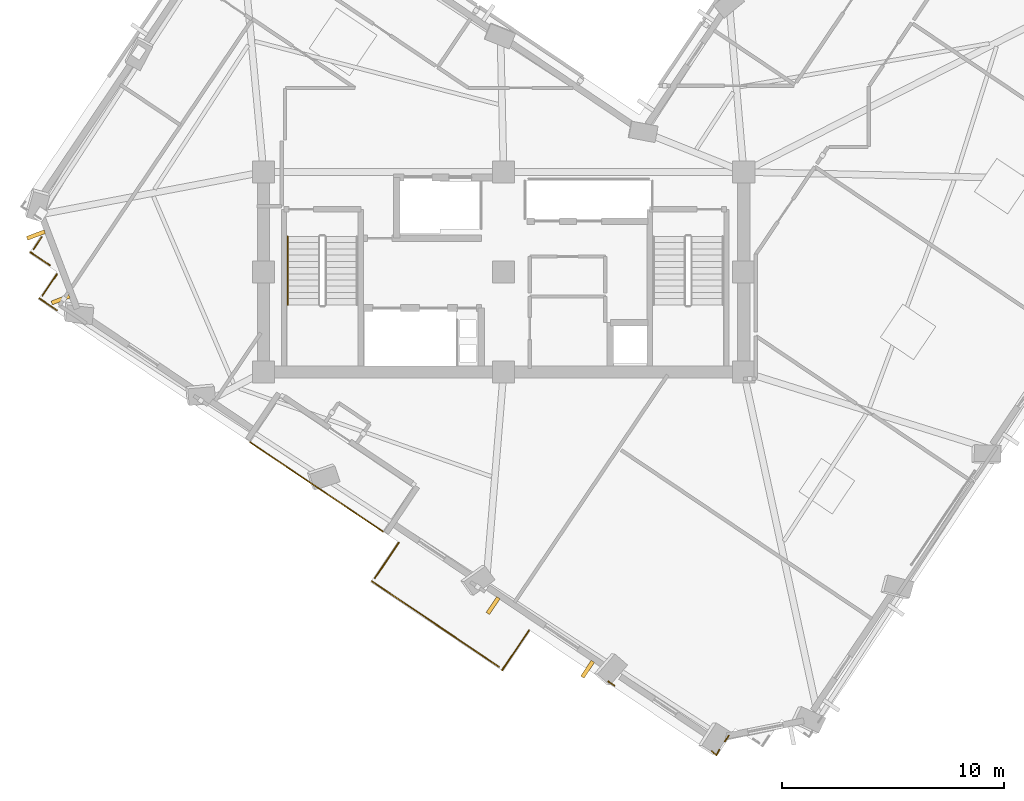
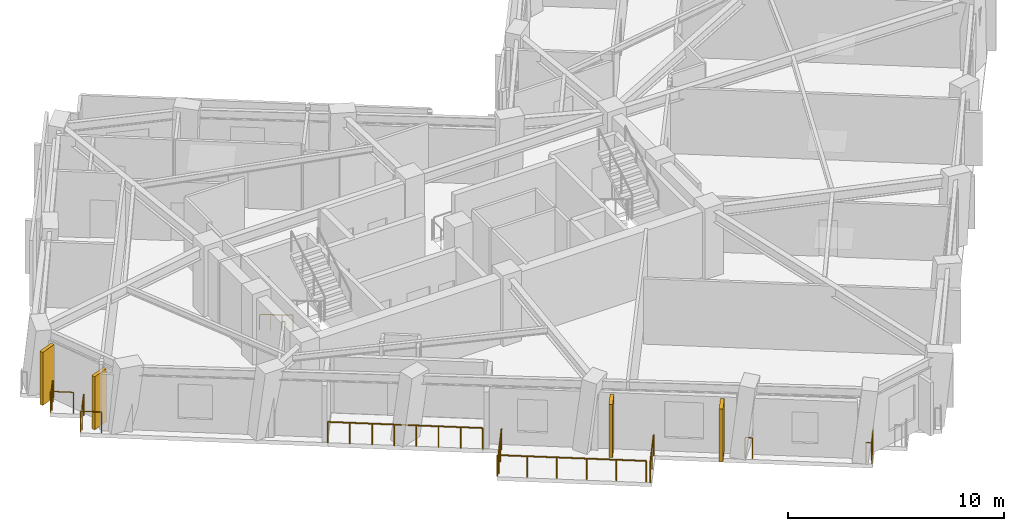
# One storey, part 10 of 14: 12 railings, 4 shading devices.
"""IFC4 building model written with IfcOpenShell, lengths in metres."""

from ifc_helpers import new_model, si_unit, direction, frame, origin, origin_2d, place, context, subcontext, project, spatial, rectangle, circle, extrude, material, layer, layer_set, type_object, element, save


model = new_model("IFC4")

# Units and contexts
model_context = context("Model", 3, precision=1e-05, world=origin(), true_north=direction((0.0, 1.0)))
body_context = subcontext(model_context, "Body", "Model", "MODEL_VIEW")
ifc_project = project(units=[si_unit("LENGTHUNIT", "METRE"), si_unit("AREAUNIT", "SQUARE_METRE"), si_unit("VOLUMEUNIT", "CUBIC_METRE"), si_unit("PLANEANGLEUNIT", "RADIAN"), si_unit("MASSUNIT", "GRAM", prefix="KILO")], contexts=[model_context])

# Site, building, storey
site_placement = place(None, origin())
site = spatial("IfcSite", under=ifc_project, at=site_placement, CompositionType="ELEMENT")
building_placement = place(site_placement, origin())
building = spatial("IfcBuilding", under=site, at=building_placement, Name="Gaonmaruhae Medical Tower", CompositionType="ELEMENT")
storey_placement = place(building_placement, frame((0.0, 0.0, 263.199951171875)))
storey = spatial("IfcBuildingStorey", under=building, at=storey_placement, Name="L63", CompositionType="ELEMENT", Elevation=263.199951171875)

# Railings
ifc_material_1 = material(Name="Stainless steel 316L and laminated safety glass", Category="steel")
ifc_layer = layer(ifc_material_1, 0.080078125)
ifc_layer_set = layer_set([ifc_layer], Name="Stainless steel 316L and laminated safety glass")
railing_type_1 = type_object("IfcRailingType", Name="GD-120 Outdoor Terrace Safety Glass & Steel Balustrade", PredefinedType="BALUSTRADE", material=ifc_layer_set)
railing_1_placement = place(storey_placement, frame((13.400390625, 4.64501953125, 0.0)))
element("IfcRailing", 1, at=railing_1_placement, inside=storey, type_object=railing_type_1, Name="L63 Terrace Safety Guard RL-SLB-L63-TER-04", PredefinedType="BALUSTRADE", context=body_context, shape_type="SweptSolid", body=[
    extrude(circle(Radius=0.02392578125, at=origin_2d()), frame((0.0, 0.0, 1.17578125), z_axis=(0.829511622929, -0.55848945149, 0.0), x_axis=(0.55848945149, 0.829511622929, 0.0)), (0.0, 0.0, 1.0), 7.2001953125),
    extrude(circle(Radius=0.02099609375, at=origin_2d()), origin(), (0.0, 0.0, 1.0), 1.15185546875),
    extrude(circle(Radius=0.02099609375, at=origin_2d()), frame((0.853271484375, -0.574462890625, 0.0)), (0.0, 0.0, 1.0), 1.15185546875),
    extrude(circle(Radius=0.02099609375, at=origin_2d()), frame((1.70654296875, -1.14892578125, 0.0)), (0.0, 0.0, 1.0), 1.15185546875),
    extrude(circle(Radius=0.02099609375, at=origin_2d()), frame((2.559814453125, -1.723388671875, 0.0)), (0.0, 0.0, 1.0), 1.15185546875),
    extrude(circle(Radius=0.02099609375, at=origin_2d()), frame((3.412841796875, -2.2978515625, 0.0)), (0.0, 0.0, 1.0), 1.15185546875),
    extrude(circle(Radius=0.02099609375, at=origin_2d()), frame((4.26611328125, -2.872314453125, 0.0)), (0.0, 0.0, 1.0), 1.15185546875),
    extrude(circle(Radius=0.02099609375, at=origin_2d()), frame((5.119384765625, -3.44677734375, 0.0)), (0.0, 0.0, 1.0), 1.15185546875),
    extrude(circle(Radius=0.02099609375, at=origin_2d()), frame((5.97265625, -4.021240234375, 0.0)), (0.0, 0.0, 1.0), 1.15185546875),
])
railing_2_placement = place(storey_placement, frame((4.389404296875, 12.604248046875, 0.0)))
element("IfcRailing", 2, at=railing_2_placement, inside=storey, type_object=railing_type_1, Name="L63 Perimeter Slab Edge Safety Balustrade 01", PredefinedType="BALUSTRADE", context=body_context, shape_type="SweptSolid", body=[
    extrude(circle(Radius=0.02392578125, at=origin_2d()), frame((0.0, 0.0, 1.17578125), z_axis=(-0.829526197454, 0.558467803672, 0.0), x_axis=(-0.558467803672, -0.829526197454, 0.0)), (0.0, 0.0, 1.0), 1.06005859375),
    extrude(circle(Radius=0.02099609375, at=origin_2d()), origin(), (0.0, 0.0, 1.0), 1.15185546875),
    extrude(circle(Radius=0.02099609375, at=origin_2d()), frame((-0.87939453125, 0.592041015625, 0.0)), (0.0, 0.0, 1.0), 1.15185546875),
])
railing_3_placement = place(storey_placement, frame((3.65380859375, 13.3203125, 0.0)))
element("IfcRailing", 3, at=railing_3_placement, inside=storey, type_object=railing_type_1, Name="L63 Perimeter Slab Edge Safety Balustrade 02", PredefinedType="BALUSTRADE", context=body_context, shape_type="SweptSolid", body=[
    extrude(circle(Radius=0.02392578125, at=origin_2d()), frame((0.0, 0.0, 1.17578125), z_axis=(0.558449787312, 0.829538326451, 0.0), x_axis=(-0.829538326451, 0.558449787312, 0.0)), (0.0, 0.0, 1.0), 0.66015625),
    extrude(circle(Radius=0.02099609375, at=origin_2d()), origin(), (0.0, 0.0, 1.0), 1.15185546875),
    extrude(circle(Radius=0.02099609375, at=origin_2d()), frame((0.36865234375, 0.547607421875, 0.0)), (0.0, 0.0, 1.0), 1.15185546875),
])
railing_4_placement = place(storey_placement, frame((34.9326171875, -8.54931640625, 0.0)))
element("IfcRailing", 4, at=railing_4_placement, inside=storey, type_object=railing_type_1, Name="L63 Perimeter Slab Edge Safety Balustrade 11", PredefinedType="BALUSTRADE", context=body_context, shape_type="SweptSolid", body=[
    extrude(circle(Radius=0.02392578125, at=origin_2d()), frame((0.0, 0.0, 1.17578125), z_axis=(-0.558831124125, -0.829281480988, 0.0), x_axis=(0.829281480988, -0.558831124125, 0.0)), (0.0, 0.0, 1.0), 0.326904296875),
    extrude(circle(Radius=0.02099609375, at=origin_2d()), origin(), (0.0, 0.0, 1.0), 1.15185546875),
    extrude(circle(Radius=0.02099609375, at=origin_2d()), frame((-0.1826171875, -0.27099609375, 0.0)), (0.0, 0.0, 1.0), 1.15185546875),
])
railing_5_placement = place(storey_placement, frame((29.789306640625, -6.304443359375, 0.0)))
element("IfcRailing", 5, at=railing_5_placement, inside=storey, type_object=railing_type_1, Name="L63 Perimeter Slab Edge Safety Balustrade 12", PredefinedType="BALUSTRADE", context=body_context, shape_type="SweptSolid", body=[
    extrude(circle(Radius=0.02392578125, at=origin_2d()), frame((0.0, 0.0, 1.17578125), z_axis=(-0.829478024608, 0.558539351068, 0.0), x_axis=(-0.558539351068, -0.829478024608, 0.0)), (0.0, 0.0, 1.0), 0.3369140625),
    extrude(circle(Radius=0.02099609375, at=origin_2d()), origin(), (0.0, 0.0, 1.0), 1.15185546875),
    extrude(circle(Radius=0.02099609375, at=origin_2d()), frame((-0.279541015625, 0.188232421875, 0.0)), (0.0, 0.0, 1.0), 1.15185546875),
])
railing_6_placement = place(storey_placement, frame((25.940185546875, -3.8212890625, 0.0)))
element("IfcRailing", 6, at=railing_6_placement, inside=storey, type_object=railing_type_1, Name="L63 Perimeter Slab Edge Safety Balustrade 13", PredefinedType="BALUSTRADE", context=body_context, shape_type="SweptSolid", body=[
    extrude(circle(Radius=0.02392578125, at=origin_2d()), frame((0.0, 0.0, 1.17578125), z_axis=(-0.558554360236, -0.829467917801, 0.0), x_axis=(0.829467917801, -0.558554360236, 0.0)), (0.0, 0.0, 1.0), 2.16015625),
    extrude(circle(Radius=0.02099609375, at=origin_2d()), origin(), (0.0, 0.0, 1.0), 1.15185546875),
    extrude(circle(Radius=0.02099609375, at=origin_2d()), frame((-0.603271484375, -0.89599609375, 0.0)), (0.0, 0.0, 1.0), 1.15185546875),
    extrude(circle(Radius=0.02099609375, at=origin_2d()), frame((-1.20654296875, -1.791748046875, 0.0)), (0.0, 0.0, 1.0), 1.15185546875),
])
railing_7_placement = place(storey_placement, frame((24.5947265625, -5.459228515625, 0.0)))
element("IfcRailing", 7, at=railing_7_placement, inside=storey, type_object=railing_type_1, Name="L63 Perimeter Slab Edge Safety Balustrade 14", PredefinedType="BALUSTRADE", context=body_context, shape_type="SweptSolid", body=[
    extrude(circle(Radius=0.02392578125, at=origin_2d()), frame((0.0, 0.0, 1.17578125), z_axis=(-0.829519116441, 0.558478321387, 0.0), x_axis=(-0.558478321387, -0.829519116441, 0.0)), (0.0, 0.0, 1.0), 6.90869140625),
    extrude(circle(Radius=0.02099609375, at=origin_2d()), origin(), (0.0, 0.0, 1.0), 1.15185546875),
    extrude(circle(Radius=0.02099609375, at=origin_2d()), frame((-1.146240234375, 0.771728515625, 0.0)), (0.0, 0.0, 1.0), 1.15185546875),
    extrude(circle(Radius=0.02099609375, at=origin_2d()), frame((-2.29248046875, 1.54345703125, 0.0)), (0.0, 0.0, 1.0), 1.15185546875),
    extrude(circle(Radius=0.02099609375, at=origin_2d()), frame((-3.4384765625, 2.31494140625, 0.0)), (0.0, 0.0, 1.0), 1.15185546875),
    extrude(circle(Radius=0.02099609375, at=origin_2d()), frame((-4.584716796875, 3.086669921875, 0.0)), (0.0, 0.0, 1.0), 1.15185546875),
    extrude(circle(Radius=0.02099609375, at=origin_2d()), frame((-5.73095703125, 3.8583984375, 0.0)), (0.0, 0.0, 1.0), 1.15185546875),
])
railing_8_placement = place(storey_placement, frame((19.010498046875, -1.472412109375, 0.0)))
element("IfcRailing", 8, at=railing_8_placement, inside=storey, type_object=railing_type_1, Name="L63 Perimeter Slab Edge Safety Balustrade 15", PredefinedType="BALUSTRADE", context=body_context, shape_type="SweptSolid", body=[
    extrude(circle(Radius=0.02392578125, at=origin_2d()), frame((0.0, 0.0, 1.17578125), z_axis=(0.55847727097, 0.829519823639, 0.0), x_axis=(-0.829519823639, 0.55847727097, 0.0)), (0.0, 0.0, 1.0), 1.92138671875),
    extrude(circle(Radius=0.02099609375, at=origin_2d()), origin(), (0.0, 0.0, 1.0), 1.15185546875),
    extrude(circle(Radius=0.02099609375, at=origin_2d()), frame((0.53662109375, 0.796875, 0.0)), (0.0, 0.0, 1.0), 1.15185546875),
    extrude(circle(Radius=0.02099609375, at=origin_2d()), frame((1.072998046875, 1.59375, 0.0)), (0.0, 0.0, 1.0), 1.15185546875),
])
railing_9_placement = place(storey_placement, frame((4.711669921875, 10.578857421875, 0.0)))
element("IfcRailing", 9, at=railing_9_placement, inside=storey, type_object=railing_type_1, Name="L63 Perimeter Slab Edge Safety Balustrade 16", PredefinedType="BALUSTRADE", context=body_context, shape_type="SweptSolid", body=[
    extrude(circle(Radius=0.02392578125, at=origin_2d()), frame((0.0, 0.0, 1.17578125), z_axis=(-0.829494718378, 0.558514558613, 0.0), x_axis=(-0.558514558613, -0.829494718378, 0.0)), (0.0, 0.0, 1.0), 0.95849609375),
    extrude(circle(Radius=0.02099609375, at=origin_2d()), origin(), (0.0, 0.0, 1.0), 1.15185546875),
    extrude(circle(Radius=0.02099609375, at=origin_2d()), frame((-0.795166015625, 0.535400390625, 0.0)), (0.0, 0.0, 1.0), 1.15185546875),
])
railing_10_placement = place(storey_placement, frame((4.060302734375, 11.23828125, 0.0)))
element("IfcRailing", 10, at=railing_10_placement, inside=storey, type_object=railing_type_1, Name="L63 Perimeter Slab Edge Safety Balustrade 17", PredefinedType="BALUSTRADE", context=body_context, shape_type="SweptSolid", body=[
    extrude(circle(Radius=0.02392578125, at=origin_2d()), frame((0.0, 0.0, 1.17578125), z_axis=(0.55848219515, 0.829516508395, 0.0), x_axis=(-0.829516508395, 0.55848219515, 0.0)), (0.0, 0.0, 1.0), 1.16015625),
    extrude(circle(Radius=0.02099609375, at=origin_2d()), origin(), (0.0, 0.0, 1.0), 1.15185546875),
    extrude(circle(Radius=0.02099609375, at=origin_2d()), frame((0.64794921875, 0.96240234375, 0.0)), (0.0, 0.0, 1.0), 1.15185546875),
])
railing_11_placement = place(storey_placement, frame((34.508056640625, -9.179931640625, 0.0)))
element("IfcRailing", 11, at=railing_11_placement, inside=storey, type_object=railing_type_1, Name="L63 Perimeter Corner Safety Balustrade 20", PredefinedType="BALUSTRADE", context=body_context, shape_type="SweptSolid", body=[
    extrude(circle(Radius=0.02392578125, at=origin_2d()), frame((0.0, 0.0, 1.17578125), z_axis=(-0.453326853617, -0.89134435758, 0.0), x_axis=(0.89134435758, -0.453326853617, 0.0)), (0.0, 0.0, 1.0), 0.287109375),
    extrude(circle(Radius=0.02392578125, at=origin_2d()), frame((-0.130126953125, -0.255859375, 1.17578125), z_axis=(-0.755099583838, 0.655610111643, 0.0), x_axis=(-0.655610111643, -0.755099583838, 0.0)), (0.0, 0.0, 1.0), 0.287109375),
    extrude(circle(Radius=0.02099609375, at=origin_2d()), origin(), (0.0, 0.0, 1.0), 1.15185546875),
    extrude(circle(Radius=0.02099609375, at=origin_2d()), frame((-0.130126953125, -0.255859375, 0.0)), (0.0, 0.0, 1.0), 1.15185546875),
    extrude(circle(Radius=0.02099609375, at=origin_2d()), frame((-0.346923828125, -0.067626953125, 0.0)), (0.0, 0.0, 1.0), 1.15185546875),
])
ifc_material_2 = material(Name="Stainless steel 304 handrail", Category="steel")
railing_type_2 = type_object("IfcRailingType", Name="HR-092 Continuous Stainless Steel Stair Handrail", PredefinedType="HANDRAIL", material=ifc_material_2)
railing_12_placement = place(storey_placement, frame((15.10009765625, 13.89990234375, 0.166748046875)))
element("IfcRailing", 12, at=railing_12_placement, inside=storey, type_object=railing_type_2, Name="L63 ST-01 stair handrail 1", PredefinedType="HANDRAIL", context=body_context, shape_type="SweptSolid", body=[
    extrude(circle(Radius=0.02392578125, at=origin_2d()), frame((0.0, 0.0, 0.8759765625), z_axis=(0.0, -0.859290745958, 0.51148745235), x_axis=(1.0, 0.0, 0.0)), (0.0, 0.0, 1.0), 3.584228515625),
    extrude(circle(Radius=0.02099609375, at=origin_2d()), origin(), (0.0, 0.0, 1.0), 0.851806640625),
    extrude(circle(Radius=0.02099609375, at=origin_2d()), frame((0.0, -1.026611328125, 0.611083984375)), (0.0, 0.0, 1.0), 0.851806640625),
    extrude(circle(Radius=0.02099609375, at=origin_2d()), frame((0.0, -2.05322265625, 1.22216796875)), (0.0, 0.0, 1.0), 0.851806640625),
    extrude(circle(Radius=0.02099609375, at=origin_2d()), frame((0.0, -3.079833984375, 1.833251953125)), (0.0, 0.0, 1.0), 0.851806640625),
])

# Shading devices
ifc_material_3 = material(Name="Pigmented coral precast concrete C45/55", Category="concrete")
shading_device_type = type_object("IfcShadingDeviceType", Name="SD-FIN1 Tower Vertical Coral Precast Shading Fin", PredefinedType="USERDEFINED", material=ifc_material_3)
for number, where, z_axis, x_axis, name in (
    (13, (4.87158203125, 11.06103515625, 0.092529296875), (0.0, 0.0, 1.0), (-0.355629012149, 0.934627201465, 0.0), "L63 Vertical Coral Precast Shading Fin N03"),
    (14, (3.766357421875, 13.9658203125, 0.092529296875), (0.0, 0.0, 1.0), (-0.355629012149, 0.934627201465, 0.0), "L63 Vertical Coral Precast Shading Fin N03B"),
    (15, (28.580078125, -5.568603515625, 0.092529296875), (0.0, 0.0, 1.0), (-0.829525244685, 0.558469218875, 0.0), "L63 Vertical Coral Precast Shading Fin W04"),
    (16, (24.328857421875, -2.70654296875, 0.092529296875), (0.0, 0.0, 1.0), (-0.829525244685, 0.558469218875, 0.0), "L63 Vertical Coral Precast Shading Fin W04B"),
):
    element("IfcShadingDevice", number, at=place(storey_placement, frame(where, z_axis=z_axis, x_axis=x_axis)), inside=storey, type_object=shading_device_type, Name=name, ObjectType="FIN", PredefinedType="USERDEFINED", context=body_context, shape_type="SweptSolid", body=[
        extrude(rectangle(XDim=0.179931640625, YDim=0.85009765625, at=origin_2d()), origin(), (0.0, 0.0, 1.0), 3.0),
    ])

save(model, "model.ifc")
